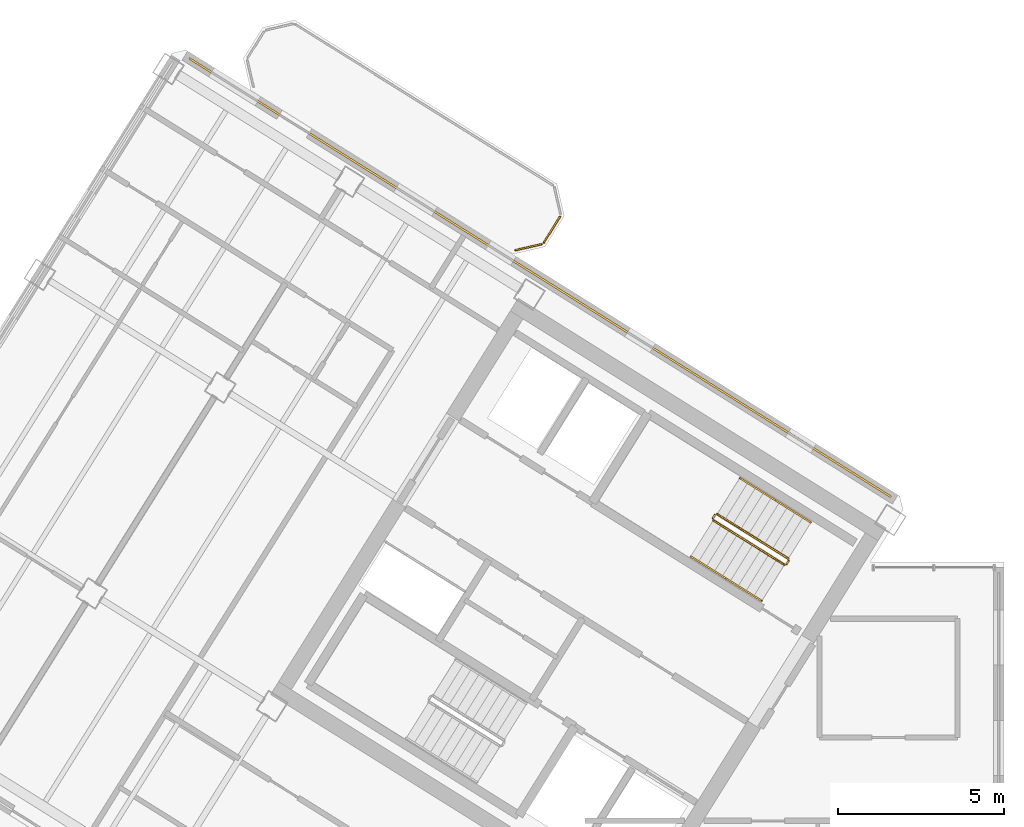
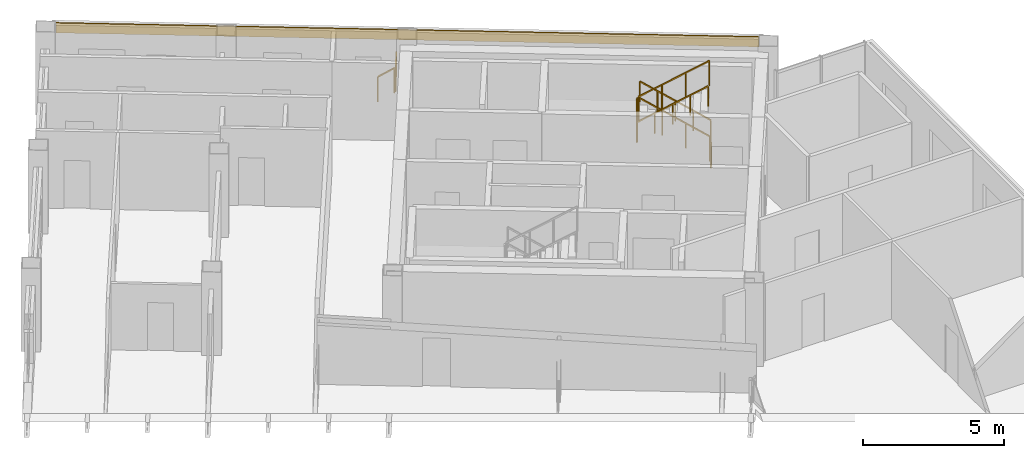
# One storey, part 13 of 14: 10 railings, 1 covering.
"""IFC4 building model written with IfcOpenShell, lengths in metres."""

from ifc_helpers import new_model, si_unit, direction, frame, origin, origin_2d, place, context, subcontext, project, spatial, rectangle, extrude, source, transform, mapped, material, layer, layer_set, type_object, element, save


model = new_model("IFC4")

# Units and contexts
model_context = context("Model", 3, precision=1e-05, world=origin(), true_north=direction((0.0, 1.0)))
body_context = subcontext(model_context, "Body", "Model", "MODEL_VIEW")
ifc_project = project(units=[si_unit("LENGTHUNIT", "METRE"), si_unit("AREAUNIT", "SQUARE_METRE"), si_unit("VOLUMEUNIT", "CUBIC_METRE"), si_unit("PLANEANGLEUNIT", "RADIAN"), si_unit("MASSUNIT", "GRAM", prefix="KILO")], contexts=[model_context])

# Site, building, storey
site_placement = place(None, origin())
site = spatial("IfcSite", under=ifc_project, at=site_placement, CompositionType="ELEMENT")
building_placement = place(site_placement, origin())
building = spatial("IfcBuilding", under=site, at=building_placement, Name="Tlacorven Tower", CompositionType="ELEMENT")
storey_placement = place(building_placement, frame((0.0, 0.0, 284.39990234375)))
storey = spatial("IfcBuildingStorey", under=building, at=storey_placement, Name="L72", CompositionType="ELEMENT", Elevation=284.39990234375)

# Railings
ifc_material_1 = material(Name="Aluminium and painted steel balustrade", Category="steel")
railing_type_1 = type_object("IfcRailingType", Name="RL-BAL-1100", PredefinedType="BALUSTRADE", material=ifc_material_1)
shared_shape_1 = source(origin(), body_context, "Body", "SweptSolid", [
    extrude(rectangle(XDim=0.048095703125, YDim=0.048095703125, at=origin_2d()), frame((0.0, 0.0, 1.076171875), z_axis=(-0.52987865805, -0.848073468364, 0.0), x_axis=(0.848073468364, -0.52987865805, 0.0)), (0.0, 0.0, 1.0), 0.912353515625),
    extrude(rectangle(XDim=0.0419921875, YDim=0.0419921875, at=origin_2d()), origin(), (0.0, 0.0, 1.0), 1.052001953125),
    extrude(rectangle(XDim=0.0419921875, YDim=0.0419921875, at=origin_2d()), frame((-0.4833984375, -0.773681640625, 0.0)), (0.0, 0.0, 1.0), 1.052001953125),
])
railing_1_placement = place(storey_placement, frame((30.845947265625, 33.588623046875, 0.0)))
element("IfcRailing", 1, at=railing_1_placement, inside=storey, type_object=railing_type_1, Name="BAL-L72-W-IN Guard Railing 2", PredefinedType="BALUSTRADE", context=body_context, shape_type="MappedRepresentation", body=[
    mapped(shared_shape_1, transform((0.0, 0.0, 0.0), scale=1.0)),
])
shared_shape_2 = source(origin(), body_context, "Body", "SweptSolid", [
    extrude(rectangle(XDim=0.048095703125, YDim=0.048095703125, at=origin_2d()), frame((0.0, 0.0, 1.076171875), z_axis=(-0.974345290916, -0.225058334816, 0.0), x_axis=(0.225058334816, -0.974345290916, 0.0)), (0.0, 0.0, 1.0), 0.80712890625),
    extrude(rectangle(XDim=0.0419921875, YDim=0.0419921875, at=origin_2d()), origin(), (0.0, 0.0, 1.0), 1.052001953125),
    extrude(rectangle(XDim=0.0419921875, YDim=0.0419921875, at=origin_2d()), frame((-0.786376953125, -0.181640625, 0.0)), (0.0, 0.0, 1.0), 1.052001953125),
])
railing_2_placement = place(storey_placement, frame((30.287353515625, 32.761474609375, 0.0)))
element("IfcRailing", 2, at=railing_2_placement, inside=storey, type_object=railing_type_1, Name="BAL-L72-W-IN Guard Railing 3", PredefinedType="BALUSTRADE", context=body_context, shape_type="MappedRepresentation", body=[
    mapped(shared_shape_2, transform((0.0, 0.0, 0.0), scale=1.0)),
])

# Covering
ifc_material_2 = material(Name="Precast concrete C45/55", Category="concrete")
ifc_layer = layer(ifc_material_2, 0.06005859375)
ifc_layer_set = layer_set([ifc_layer], Name="Precast concrete C45/55")
covering_type = type_object("IfcCoveringType", Name="CV-CLD-TERC", PredefinedType="CLADDING", material=ifc_layer_set)
shared_shape_3 = source(origin(), body_context, "Body", "SweptSolid", [
    extrude(rectangle(XDim=24.887451171875, YDim=0.06005859375, at=origin_2d()), origin(), (0.0, 0.0, 1.0), 0.419921875),
])
covering_placement = place(storey_placement, frame((30.245849609375, 31.76025390625, 2.93017578125), z_axis=(0.0, 0.0, 1.0), x_axis=(0.848048223032, -0.52991906119, 0.0)))
element("IfcCovering", 3, at=covering_placement, inside=storey, type_object=covering_type, Name="L72 Masonry-Frame Spandrel Cladding 4", PredefinedType="CLADDING", context=body_context, shape_type="MappedRepresentation", body=[
    mapped(shared_shape_3, transform((0.0, 0.0, 0.0), scale=1.0)),
])

# Railings
railing_type_2 = type_object("IfcRailingType", Name="RL-GRD-1100", PredefinedType="GUARDRAIL", material=ifc_material_1)
shared_shape_4 = source(origin(), body_context, "Body", "SweptSolid", [
    extrude(rectangle(XDim=0.048095703125, YDim=0.048095703125, at=origin_2d()), frame((0.0, 0.0, 1.076171875), z_axis=(-0.530546985787, -0.847655529016, 0.0), x_axis=(0.847655529016, -0.530546985787, 0.0)), (0.0, 0.0, 1.0), 0.1201171875),
    extrude(rectangle(XDim=0.0419921875, YDim=0.0419921875, at=origin_2d()), origin(), (0.0, 0.0, 1.0), 1.052001953125),
    extrude(rectangle(XDim=0.0419921875, YDim=0.0419921875, at=origin_2d()), frame((-0.063720703125, -0.101806640625, 0.0)), (0.0, 0.0, 1.0), 1.052001953125),
])
railing_3_placement = place(storey_placement, frame((37.728271484375, 23.24072265625, 0.0)))
element("IfcRailing", 4, at=railing_3_placement, inside=storey, type_object=railing_type_2, Name="L72 ST-W2 stair guard 4", PredefinedType="GUARDRAIL", context=body_context, shape_type="MappedRepresentation", body=[
    mapped(shared_shape_4, transform((0.0, 0.0, 0.0), scale=1.0)),
])
railing_type_3 = type_object("IfcRailingType", Name="RL-HND-0900", PredefinedType="HANDRAIL", material=ifc_material_1)
shared_shape_5 = source(origin(), body_context, "Body", "SweptSolid", [
    extrude(rectangle(XDim=0.048095703125, YDim=0.048095703125, at=origin_2d()), frame((0.0, 0.0, 0.8759765625), z_axis=(-0.713359751793, 0.4457479829, 0.540764828981), x_axis=(-0.529911857636, -0.848052724267, 0.0)), (0.0, 0.0, 1.0), 1.498046875),
    extrude(rectangle(XDim=0.0419921875, YDim=0.0419921875, at=origin_2d()), origin(), (0.0, 0.0, 1.0), 0.851806640625),
    extrude(rectangle(XDim=0.0419921875, YDim=0.0419921875, at=origin_2d()), frame((-0.5341796875, 0.333984375, 0.405029296875)), (0.0, 0.0, 1.0), 0.851806640625),
    extrude(rectangle(XDim=0.0419921875, YDim=0.0419921875, at=origin_2d()), frame((-1.068603515625, 0.667724609375, 0.81005859375)), (0.0, 0.0, 1.0), 0.851806640625),
])
railing_4_placement = place(storey_placement, frame((37.322021484375, 25.062744140625, 0.989990234375)))
element("IfcRailing", 5, at=railing_4_placement, inside=storey, type_object=railing_type_3, Name="L72 ST-W2 stair handrail 2", PredefinedType="HANDRAIL", context=body_context, shape_type="MappedRepresentation", body=[
    mapped(shared_shape_5, transform((0.0, 0.0, 0.0), scale=1.0)),
])
shared_shape_6 = source(origin(), body_context, "Body", "SweptSolid", [
    extrude(rectangle(XDim=0.048095703125, YDim=0.048095703125, at=origin_2d()), frame((0.0, 0.0, 0.8759765625), z_axis=(0.713359751793, -0.4457479829, 0.540764828981), x_axis=(0.529911857636, 0.848052724267, 0.0)), (0.0, 0.0, 1.0), 1.498046875),
    extrude(rectangle(XDim=0.0419921875, YDim=0.0419921875, at=origin_2d()), origin(), (0.0, 0.0, 1.0), 0.851806640625),
    extrude(rectangle(XDim=0.0419921875, YDim=0.0419921875, at=origin_2d()), frame((0.5341796875, -0.333984375, 0.405029296875)), (0.0, 0.0, 1.0), 0.851806640625),
    extrude(rectangle(XDim=0.0419921875, YDim=0.0419921875, at=origin_2d()), frame((1.068603515625, -0.667724609375, 0.81005859375)), (0.0, 0.0, 1.0), 0.851806640625),
])
for number, where, name in (
    (6, (34.7802734375, 23.372802734375, 1.97998046875), "L72 ST-W2 stair handrail 3"),
    (7, (35.848876953125, 22.705078125, 2.7900390625), "L72 ST-W2 stair handrail 4"),
):
    element("IfcRailing", number, at=place(storey_placement, frame(where)), inside=storey, type_object=railing_type_3, Name=name, PredefinedType="HANDRAIL", context=body_context, shape_type="MappedRepresentation", body=[
        mapped(shared_shape_6, transform((0.0, 0.0, 0.0), scale=1.0)),
    ])
shared_shape_7 = source(origin(), body_context, "Body", "SweptSolid", [
    extrude(rectangle(XDim=0.048095703125, YDim=0.048095703125, at=origin_2d()), frame((0.0, 0.0, 1.076171875), z_axis=(-0.713351164325, 0.445793541512, 0.540738601085), x_axis=(-0.529955395941, -0.84802551749, 0.0)), (0.0, 0.0, 1.0), 2.99560546875),
    extrude(rectangle(XDim=0.0419921875, YDim=0.0419921875, at=origin_2d()), origin(), (0.0, 0.0, 1.0), 1.052001953125),
    extrude(rectangle(XDim=0.0419921875, YDim=0.0419921875, at=origin_2d()), frame((-0.71240234375, 0.445068359375, 0.5400390625)), (0.0, 0.0, 1.0), 1.052001953125),
    extrude(rectangle(XDim=0.0419921875, YDim=0.0419921875, at=origin_2d()), frame((-1.424560546875, 0.890380859375, 1.079833984375)), (0.0, 0.0, 1.0), 1.052001953125),
    extrude(rectangle(XDim=0.0419921875, YDim=0.0419921875, at=origin_2d()), frame((-2.136962890625, 1.33544921875, 1.619873046875)), (0.0, 0.0, 1.0), 1.052001953125),
])
railing_5_placement = place(storey_placement, frame((37.712158203125, 23.3095703125, 0.18017578125)))
element("IfcRailing", 8, at=railing_5_placement, inside=storey, type_object=railing_type_2, Name="L72 ST-W2 stair guard 1", PredefinedType="GUARDRAIL", context=body_context, shape_type="MappedRepresentation", body=[
    mapped(shared_shape_7, transform((0.0, 0.0, 0.0), scale=1.0)),
])
shared_shape_8 = source(origin(), body_context, "Body", "SweptSolid", [
    extrude(rectangle(XDim=0.048095703125, YDim=0.048095703125, at=origin_2d()), frame((0.0, 0.0, 0.8759765625), z_axis=(-0.713422621445, 0.445787267455, 0.540649494022), x_axis=(-0.529911857636, -0.848052724267, 0.0)), (0.0, 0.0, 1.0), 1.497802734375),
    extrude(rectangle(XDim=0.0419921875, YDim=0.0419921875, at=origin_2d()), origin(), (0.0, 0.0, 1.0), 0.851806640625),
    extrude(rectangle(XDim=0.0419921875, YDim=0.0419921875, at=origin_2d()), frame((-0.5341796875, 0.333984375, 0.40478515625)), (0.0, 0.0, 1.0), 0.851806640625),
    extrude(rectangle(XDim=0.0419921875, YDim=0.0419921875, at=origin_2d()), frame((-1.068603515625, 0.667724609375, 0.809814453125)), (0.0, 0.0, 1.0), 0.851806640625),
])
railing_6_placement = place(storey_placement, frame((38.390625, 24.39501953125, 0.18017578125)))
element("IfcRailing", 9, at=railing_6_placement, inside=storey, type_object=railing_type_3, Name="L72 ST-W2 stair handrail 1", PredefinedType="HANDRAIL", context=body_context, shape_type="MappedRepresentation", body=[
    mapped(shared_shape_8, transform((0.0, 0.0, 0.0), scale=1.0)),
])
shared_shape_9 = source(origin(), body_context, "Body", "SweptSolid", [
    extrude(rectangle(XDim=0.048095703125, YDim=0.048095703125, at=origin_2d()), frame((0.0, 0.0, 1.076171875), z_axis=(-0.531462422766, -0.847081869236, 0.0), x_axis=(0.847081869236, -0.531462422766, 0.0)), (0.0, 0.0, 1.0), 0.119873046875),
    extrude(rectangle(XDim=0.0419921875, YDim=0.0419921875, at=origin_2d()), origin(), (0.0, 0.0, 1.0), 1.052001953125),
    extrude(rectangle(XDim=0.0419921875, YDim=0.0419921875, at=origin_2d()), frame((-0.063720703125, -0.1015625, 0.0)), (0.0, 0.0, 1.0), 1.052001953125),
])
railing_7_placement = place(storey_placement, frame((35.50634765625, 24.62890625, 1.800048828125)))
element("IfcRailing", 10, at=railing_7_placement, inside=storey, type_object=railing_type_2, Name="L72 ST-W2 stair guard 2", PredefinedType="GUARDRAIL", context=body_context, shape_type="MappedRepresentation", body=[
    mapped(shared_shape_9, transform((0.0, 0.0, 0.0), scale=1.0)),
])
shared_shape_10 = source(origin(), body_context, "Body", "SweptSolid", [
    extrude(rectangle(XDim=0.048095703125, YDim=0.048095703125, at=origin_2d()), frame((0.0, 0.0, 1.076171875), z_axis=(0.713385662783, -0.445682681033, 0.540784470897), x_axis=(0.52984217967, 0.848096259066, 0.0)), (0.0, 0.0, 1.0), 2.995849609375),
    extrude(rectangle(XDim=0.0419921875, YDim=0.0419921875, at=origin_2d()), origin(), (0.0, 0.0, 1.0), 1.052001953125),
    extrude(rectangle(XDim=0.0419921875, YDim=0.0419921875, at=origin_2d()), frame((0.71240234375, -0.445068359375, 0.5400390625)), (0.0, 0.0, 1.0), 1.052001953125),
    extrude(rectangle(XDim=0.0419921875, YDim=0.0419921875, at=origin_2d()), frame((1.4248046875, -0.89013671875, 1.080078125)), (0.0, 0.0, 1.0), 1.052001953125),
    extrude(rectangle(XDim=0.0419921875, YDim=0.0419921875, at=origin_2d()), frame((2.13720703125, -1.335205078125, 1.6201171875)), (0.0, 0.0, 1.0), 1.052001953125),
])
railing_8_placement = place(storey_placement, frame((35.45849609375, 24.458251953125, 1.97998046875)))
element("IfcRailing", 11, at=railing_8_placement, inside=storey, type_object=railing_type_2, Name="L72 ST-W2 stair guard 3", PredefinedType="GUARDRAIL", context=body_context, shape_type="MappedRepresentation", body=[
    mapped(shared_shape_10, transform((0.0, 0.0, 0.0), scale=1.0)),
])

save(model, "model.ifc")
